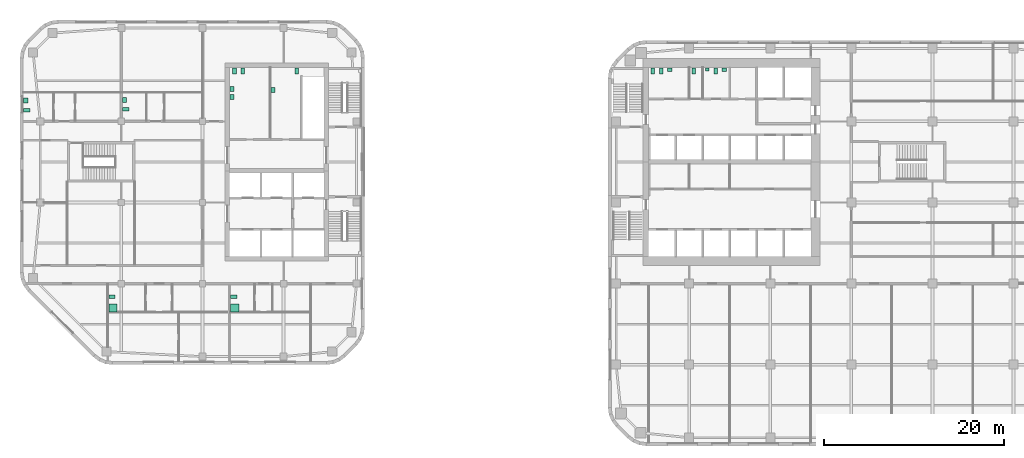
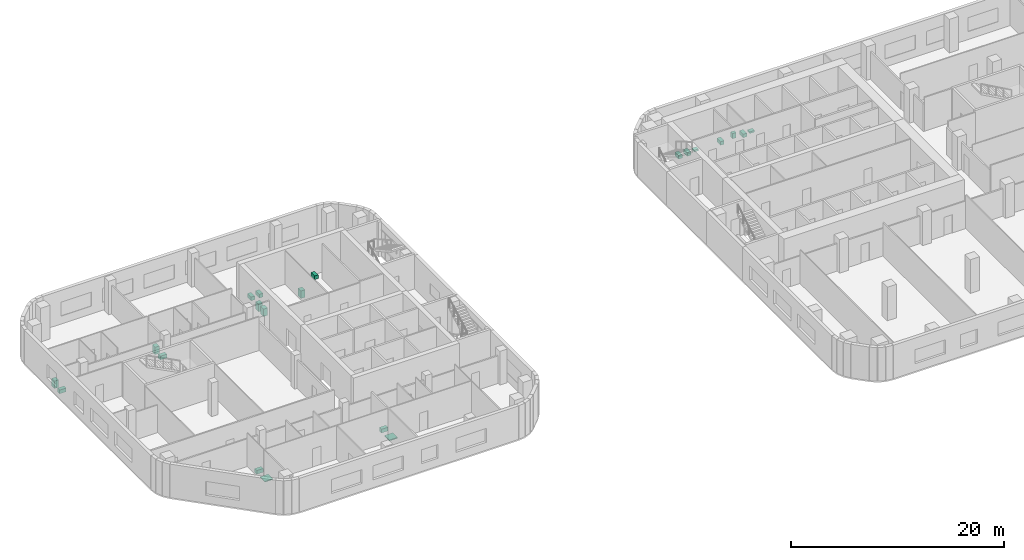
# One storey, part 15 of 15: 21 sanitary terminals.
"""IFC4 building model written with IfcOpenShell, lengths in metres."""

from ifc_helpers import new_model, si_unit, direction, frame, origin, origin_2d, place, context, subcontext, project, spatial, rectangle, extrude, material, type_object, element, save


model = new_model("IFC4")

# Units and contexts
model_context = context("Model", 3, precision=1e-05, world=origin(), true_north=direction((0.0, 1.0)))
body_context = subcontext(model_context, "Body", "Model", "MODEL_VIEW")
ifc_project = project(units=[si_unit("LENGTHUNIT", "METRE"), si_unit("AREAUNIT", "SQUARE_METRE"), si_unit("VOLUMEUNIT", "CUBIC_METRE"), si_unit("PLANEANGLEUNIT", "RADIAN"), si_unit("MASSUNIT", "GRAM", prefix="KILO")], contexts=[model_context])

# Site, building, storey
site_placement = place(None, origin())
site = spatial("IfcSite", under=ifc_project, at=site_placement, CompositionType="ELEMENT")
building_placement = place(site_placement, origin())
building = spatial("IfcBuilding", under=site, at=building_placement, Name="Cinnabar Reach Civic Tower", CompositionType="ELEMENT")
storey_placement = place(building_placement, frame((0.0, 0.0, 87.0)))
storey = spatial("IfcBuildingStorey", under=building, at=storey_placement, Name="L20", CompositionType="ELEMENT", Elevation=87.0)

# Sanitary terminals
ifc_material_1 = material(Name="Vitreous china")
sanitary_terminal_type_1 = type_object("IfcSanitaryTerminalType", Name="T1 WC pan", PredefinedType="TOILETPAN", material=ifc_material_1)
for number, where, z_axis, x_axis, name in (
    (1, (4.95, 41.6, 0.0), (0.0, 0.0, 1.0), (1.0, 0.0, 0.0), "T1 WC pan 2007-1"),
    (2, (5.9, 41.6, 0.0), (0.0, 0.0, 1.0), (1.0, 0.0, 0.0), "T1 WC pan 2007-2"),
    (3, (9.5, 41.6, 0.0), (0.0, 0.0, 1.0), (1.0, 0.0, 0.0), "T1 WC pan 2008-1"),
    (4, (11.95, 41.6, 0.0), (0.0, 0.0, 1.0), (1.0, 0.0, 0.0), "T1 WC pan 2009-2"),
):
    element("IfcSanitaryTerminal", number, at=place(storey_placement, frame(where, z_axis=z_axis, x_axis=x_axis)), inside=storey, type_object=sanitary_terminal_type_1, Name=name, PredefinedType="TOILETPAN", context=body_context, shape_type="SweptSolid", body=[
        extrude(rectangle(XDim=0.4, YDim=0.7, at=origin_2d()), origin(), (0.0, 0.0, 1.0), 0.4),
    ])
sanitary_terminal_type_2 = type_object("IfcSanitaryTerminalType", Name="T1 urinal", PredefinedType="URINAL", material=ifc_material_1)
sanitary_terminal_placement = place(storey_placement, frame((11.0, 41.775, 0.0), z_axis=(0.0, 0.0, 1.0), x_axis=(1.0, 0.0, 0.0)))
element("IfcSanitaryTerminal", 5, at=sanitary_terminal_placement, inside=storey, type_object=sanitary_terminal_type_2, Name="T1 urinal 2009-1", PredefinedType="URINAL", context=body_context, shape_type="SweptSolid", body=[
    extrude(rectangle(XDim=0.4, YDim=0.35, at=origin_2d()), origin(), (0.0, 0.0, 1.0), 0.6),
])
sanitary_terminal_type_3 = type_object("IfcSanitaryTerminalType", Name="T1 wash basin", PredefinedType="WASHHANDBASIN", material=ifc_material_1)
for number, where, z_axis, x_axis, name in (
    (6, (6.85, 41.74, 0.0), (0.0, 0.0, 1.0), (1.0, 0.0, 0.0), "T1 wash basin 2007-3"),
    (7, (12.9, 41.74, 0.0), (0.0, 0.0, 1.0), (1.0, 0.0, 0.0), "T1 wash basin 2009-3"),
):
    element("IfcSanitaryTerminal", number, at=place(storey_placement, frame(where, z_axis=z_axis, x_axis=x_axis)), inside=storey, type_object=sanitary_terminal_type_3, Name=name, PredefinedType="WASHHANDBASIN", context=body_context, shape_type="SweptSolid", body=[
        extrude(rectangle(XDim=0.5, YDim=0.42, at=origin_2d()), origin(), (0.0, 0.0, 1.0), 0.2),
    ])
ifc_material_2 = material(Name="Acrylic tray")
sanitary_terminal_type_4 = type_object("IfcSanitaryTerminalType", Name="T2 Shower tray", PredefinedType="SHOWER", material=ifc_material_2)
for number, where, z_axis, x_axis, name in (
    (8, (-54.95, 15.3, 0.0), (0.0, 0.0, 1.0), (1.0, 0.0, 0.0), "Shower tray"),
    (9, (-41.425, 15.3, 0.0), (0.0, 0.0, 1.0), (1.0, 0.0, 0.0), "Shower tray"),
):
    element("IfcSanitaryTerminal", number, at=place(storey_placement, frame(where, z_axis=z_axis, x_axis=x_axis)), inside=storey, type_object=sanitary_terminal_type_4, Name=name, PredefinedType="SHOWER", context=body_context, shape_type="SweptSolid", body=[
        extrude(rectangle(XDim=0.9, YDim=0.9, at=origin_2d()), origin(), (0.0, 0.0, 1.0), 0.1),
    ])
sanitary_terminal_type_5 = type_object("IfcSanitaryTerminalType", Name="T2 WC pan", PredefinedType="TOILETPAN", material=ifc_material_1)
for number, where, z_axis, x_axis, name in (
    (10, (-41.45, 41.6, 0.0), (0.0, 0.0, 1.0), (1.0, 0.0, 0.0), "WC pan"),
    (11, (-40.55, 41.6, 0.0), (0.0, 0.0, 1.0), (1.0, 0.0, 0.0), "WC pan"),
    (12, (-34.55, 41.6, 0.0), (0.0, 0.0, 1.0), (1.0, 0.0, 0.0), "WC pan"),
):
    element("IfcSanitaryTerminal", number, at=place(storey_placement, frame(where, z_axis=z_axis, x_axis=x_axis)), inside=storey, type_object=sanitary_terminal_type_5, Name=name, PredefinedType="TOILETPAN", context=body_context, shape_type="SweptSolid", body=[
        extrude(rectangle(XDim=0.4, YDim=0.7, at=origin_2d()), origin(), (0.0, 0.0, 1.0), 0.42),
    ])
for number, where, z_axis, x_axis, name in (
    (13, (-55.05, 16.55, 0.0), (0.0, 0.0, 1.0), (1.0, 0.0, 0.0), "WC pan"),
    (14, (-41.525, 16.55, 0.0), (0.0, 0.0, 1.0), (1.0, 0.0, 0.0), "WC pan"),
    (15, (-64.49, 37.25, 0.0), (0.0, 0.0, 1.0), (1.0, 0.0, 0.0), "WC pan"),
    (16, (-53.525, 37.325, 0.0), (0.0, 0.0, 1.0), (1.0, 0.0, 0.0), "WC pan"),
):
    element("IfcSanitaryTerminal", number, at=place(storey_placement, frame(where, z_axis=z_axis, x_axis=x_axis)), inside=storey, type_object=sanitary_terminal_type_5, Name=name, PredefinedType="TOILETPAN", context=body_context, shape_type="SweptSolid", body=[
        extrude(rectangle(XDim=0.7, YDim=0.4, at=origin_2d()), origin(), (0.0, 0.0, 1.0), 0.42),
    ])
sanitary_terminal_type_6 = type_object("IfcSanitaryTerminalType", Name="T2 Wash basin", PredefinedType="WASHHANDBASIN", material=ifc_material_1)
for number, where, z_axis, x_axis, name in (
    (17, (-41.725, 39.6, 0.0), (0.0, 0.0, 1.0), (1.0, 0.0, 0.0), "Wash basin"),
    (18, (-41.725, 38.7, 0.0), (0.0, 0.0, 1.0), (1.0, 0.0, 0.0), "Wash basin"),
    (19, (-37.175, 39.5, 0.0), (0.0, 0.0, 1.0), (1.0, 0.0, 0.0), "Wash basin"),
    (20, (-64.615, 38.3, 0.0), (0.0, 0.0, 1.0), (1.0, 0.0, 0.0), "Wash basin"),
    (21, (-53.65, 38.375, 0.0), (0.0, 0.0, 1.0), (1.0, 0.0, 0.0), "Wash basin"),
):
    element("IfcSanitaryTerminal", number, at=place(storey_placement, frame(where, z_axis=z_axis, x_axis=x_axis)), inside=storey, type_object=sanitary_terminal_type_6, Name=name, PredefinedType="WASHHANDBASIN", context=body_context, shape_type="SweptSolid", body=[
        extrude(rectangle(XDim=0.45, YDim=0.55, at=origin_2d()), origin(), (0.0, 0.0, 1.0), 0.85),
    ])

save(model, "model.ifc")
